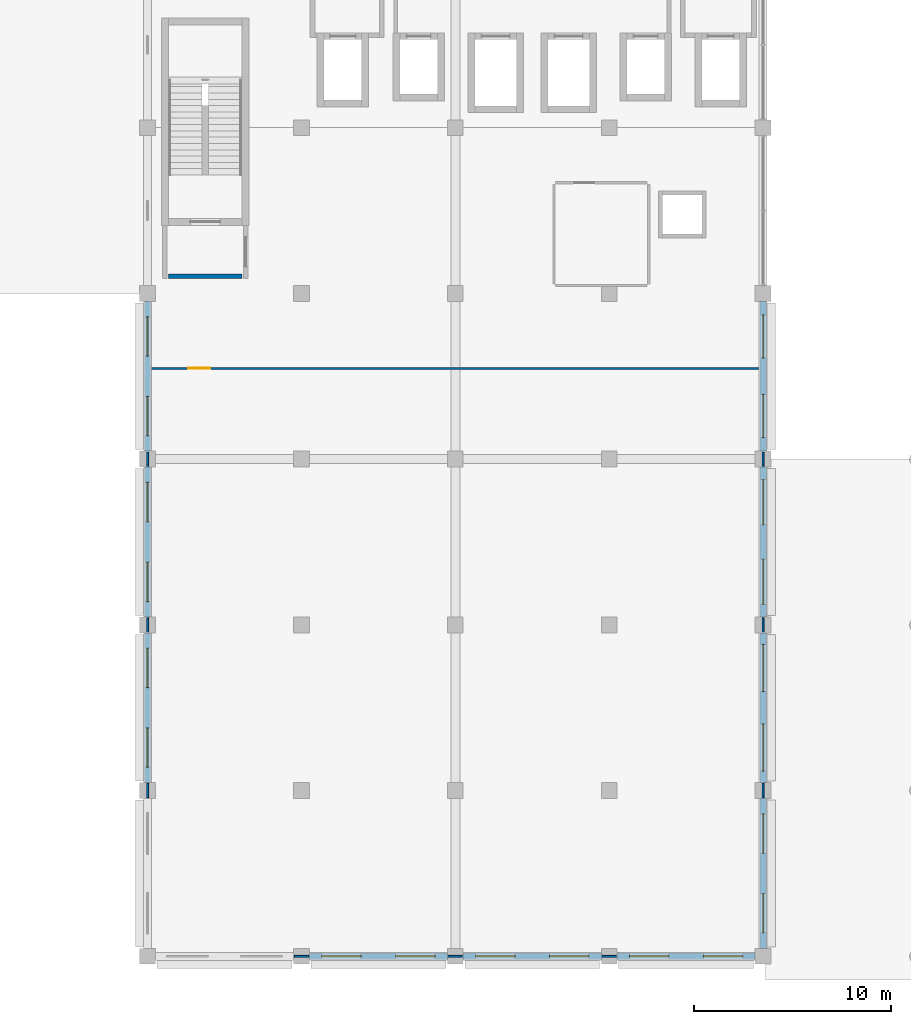
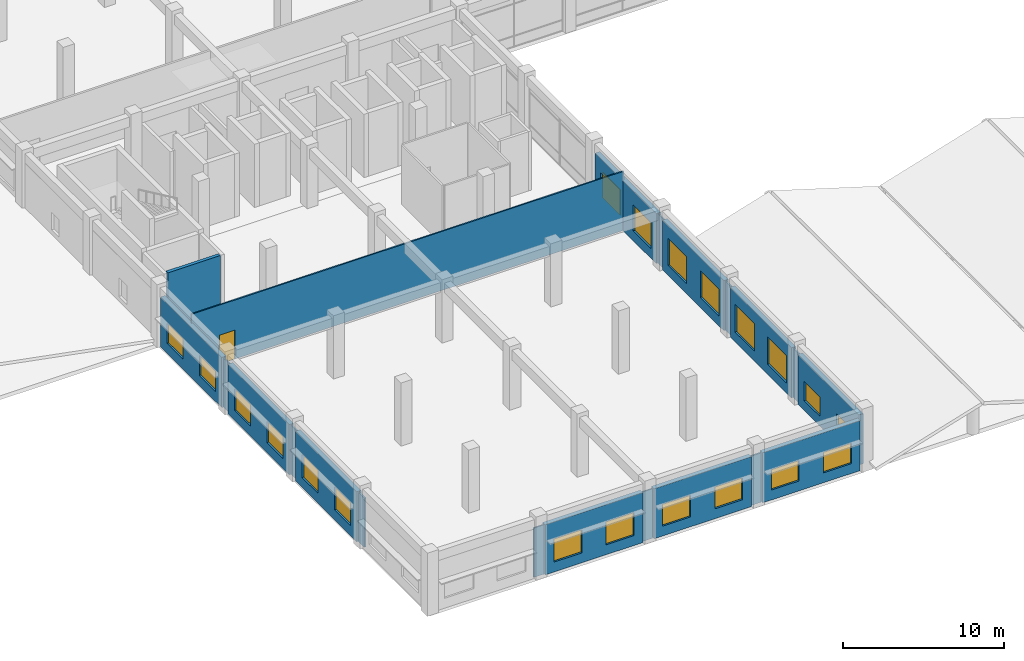
# One storey, part 39 of 62: 21 walls, 20 windows, 1 door, 21 openings.
"""IFC4 building model written with IfcOpenShell, lengths in metres."""

import ifcopenshell
import ifcopenshell.guid

model = None  # the IFC model being written
_history = None  # IfcOwnerHistory: only IFC2X3 demands one
_inside = {}  # id of a spatial element -> (the spatial element, [elements in it])
_under = {}  # id of a project, library or spatial element -> (it, [spatial elements below it])
_declared = {}  # id of a project -> (the project, [libraries it declares])
_typed = {}  # id of a type object -> (the type object, [elements of that type])
_made_of = {}  # id of a material, layer set ... -> (it, [elements and type objects made of it])


def new_model(schema):
    """Start an empty IFC model of exactly this schema.

    Asked for "IFC4X3", IfcOpenShell would pick the latest addendum, in which some entities
    have other attributes; the version numbers below select the first issue.
    IFC2X3 requires an IfcOwnerHistory on every rooted entity: one is made here for all.
    """
    global model, _history
    if schema == "IFC4X3":
        model = ifcopenshell.file(schema_version=(4, 3, 0, 0))
    else:
        model = ifcopenshell.file(schema=schema)
    _inside.clear()
    _under.clear()
    _declared.clear()
    _typed.clear()
    _made_of.clear()
    _history = None
    if model.schema == "IFC2X3":
        org = make("IfcOrganization", Name="unknown")
        user = make(
            "IfcPersonAndOrganization",
            ThePerson=make("IfcPerson", FamilyName="unknown"),
            TheOrganization=org,
        )
        app = make(
            "IfcApplication",
            ApplicationDeveloper=org,
            Version="unknown",
            ApplicationFullName="unknown",
            ApplicationIdentifier="unknown",
        )
        _history = make(
            "IfcOwnerHistory",
            OwningUser=user,
            OwningApplication=app,
            ChangeAction="ADDED",
            CreationDate=0,
        )
    return model


def make(cls, **values):
    """One entity of the class cls with the attributes given. An attribute that is None is left unset."""
    return model.create_entity(
        cls, **{name: value for name, value in values.items() if value is not None}
    )


def rooted(cls, **values):
    """An entity with a GlobalId (a new one), such as an element, a storey or a relation."""
    return make(cls, GlobalId=ifcopenshell.guid.new(), OwnerHistory=_history, **values)


def si_unit(unit_type, name, prefix=None):
    """IfcSIUnit, for example si_unit("LENGTHUNIT", "METRE", prefix="MILLI")."""
    return make("IfcSIUnit", UnitType=unit_type, Prefix=prefix, Name=name)


def assignment(units):
    """IfcUnitAssignment: the units of a project."""
    return None if units is None else make("IfcUnitAssignment", Units=units)


def point(xyz):
    """IfcCartesianPoint."""
    return None if xyz is None else make("IfcCartesianPoint", Coordinates=xyz)


def direction(xyz):
    """IfcDirection."""
    return None if xyz is None else make("IfcDirection", DirectionRatios=xyz)


def frame(location, z_axis=None, x_axis=None):
    """IfcAxis2Placement3D, a coordinate frame: its origin and axes. An axis left out is left unset."""
    return make(
        "IfcAxis2Placement3D",
        Location=point(location),
        Axis=direction(z_axis),
        RefDirection=direction(x_axis),
    )


def frame_2d(location, x_axis=None):
    """IfcAxis2Placement2D, a coordinate frame in the plane: its origin and x axis."""
    return make(
        "IfcAxis2Placement2D", Location=point(location), RefDirection=direction(x_axis)
    )


def origin():
    """The frame at (0, 0, 0) with its axes left unset."""
    return frame((0.0, 0.0, 0.0))


def place(relative_to, where):
    """IfcLocalPlacement: puts the frame where relative to a parent placement (None: the world)."""
    return make(
        "IfcLocalPlacement", PlacementRelTo=relative_to, RelativePlacement=where
    )


def context(
    kind, dimensions, precision=None, world=None, true_north=None, identifier=None
):
    """IfcGeometricRepresentationContext, for example the 3D "Model" context."""
    return make(
        "IfcGeometricRepresentationContext",
        ContextIdentifier=identifier,
        ContextType=kind,
        CoordinateSpaceDimension=dimensions,
        Precision=precision,
        WorldCoordinateSystem=world,
        TrueNorth=true_north,
    )


def subcontext(parent, identifier, kind, view, scale=None):
    """IfcGeometricRepresentationSubContext, for example "Body" below "Model"."""
    return make(
        "IfcGeometricRepresentationSubContext",
        ContextIdentifier=identifier,
        ContextType=kind,
        ParentContext=parent,
        TargetScale=scale,
        TargetView=view,
    )


def project(units=None, contexts=None):
    """IfcProject with its units and contexts."""
    return rooted(
        "IfcProject",
        Name="project",
        RepresentationContexts=contexts,
        UnitsInContext=assignment(units),
    )


def spatial(cls, under=None, at=None, **own):
    """A site, building, storey or space (cls), placed at a placement, below another one or the project."""
    s = rooted(cls, ObjectPlacement=at, **own)
    if under is not None:
        _under.setdefault(under.id(), (under, []))[1].append(s)
    return s


def profile(cls, at=None, kind="AREA", **sizes):
    """A parametric profile (cls). Its sizes go by their IFC names, for example OverallWidth=200.0."""
    return make(cls, ProfileType=kind, Position=at, **sizes)


def rectangle(**sizes):
    """IfcRectangleProfileDef."""
    return profile("IfcRectangleProfileDef", **sizes)


def extrude(swept, where, along, depth):
    """IfcExtrudedAreaSolid: the profile swept, set in the frame where, extruded along a direction by depth."""
    return make(
        "IfcExtrudedAreaSolid",
        SweptArea=swept,
        Position=where,
        ExtrudedDirection=direction(along),
        Depth=depth,
    )


def shape(context_of_items, identifier, shape_type, items):
    """IfcShapeRepresentation: the items that make up one representation, for example the "Body"."""
    return make(
        "IfcShapeRepresentation",
        ContextOfItems=context_of_items,
        RepresentationIdentifier=identifier,
        RepresentationType=shape_type,
        Items=items,
    )


def material(Name=None, Category=None):
    """IfcMaterial."""
    return make("IfcMaterial", Name=Name, Category=Category)


def layer(
    of_material, thickness, ventilated=None, Name=None, Category=None, Priority=None
):
    """IfcMaterialLayer: one layer of a wall or slab, of a material (None: an air gap)."""
    return make(
        "IfcMaterialLayer",
        Material=of_material,
        LayerThickness=thickness,
        IsVentilated=ventilated,
        Name=Name,
        Category=Category,
        Priority=Priority,
    )


def layer_set(layers, Name=None):
    """IfcMaterialLayerSet."""
    return make("IfcMaterialLayerSet", MaterialLayers=layers, LayerSetName=Name)


def made_of(thing, what):
    """Note that an element or type object is made of a material, layer set ...; save() writes the relation."""
    if what is not None:
        _made_of.setdefault(what.id(), (what, []))[1].append(thing)
    return thing


def type_object(cls, material=None, **own):
    """A type object (cls), such as IfcWallType, which elements share."""
    return made_of(rooted(cls, **own), material)


def element(
    cls,
    number,
    at=None,
    inside=None,
    cuts=None,
    type_object=None,
    material=None,
    context=None,
    identifier="Body",
    shape_type=None,
    held_by="IfcProductDefinitionShape",
    body=None,
    shapes=None,
    **own,
):
    """One element of the class cls, such as IfcWall. Its Tag is "e" and its number.

    at: its placement. inside: the storey or other place that contains it. cuts: it is an
    opening in that element (IfcRelVoidsElement). A single representation is given by context,
    identifier, shape_type and body (its items); several are given by shapes. held_by: the class
    of the entity that holds the representations. save() writes the other relations.
    """
    e = rooted(cls, Tag="e%d" % number, ObjectPlacement=at, **own)
    if body is not None:
        shapes = [shape(context, identifier, shape_type, body)]
    if shapes is not None:
        e.Representation = make(held_by, Representations=shapes)
    if inside is not None:
        _inside.setdefault(inside.id(), (inside, []))[1].append(e)
    if cuts is not None:
        rooted(
            "IfcRelVoidsElement", RelatingBuildingElement=cuts, RelatedOpeningElement=e
        )
    if type_object is not None:
        _typed.setdefault(type_object.id(), (type_object, []))[1].append(e)
    return made_of(e, material)


def fill(opening, filler):
    """IfcRelFillsElement: the door or window that sits in an opening."""
    return rooted(
        "IfcRelFillsElement",
        RelatingOpeningElement=opening,
        RelatedBuildingElement=filler,
    )


def aggregate(whole, parts):
    """IfcRelAggregates: a whole, such as a stair, and the parts it consists of."""
    return rooted("IfcRelAggregates", RelatingObject=whole, RelatedObjects=parts)


def save(model, path):
    """Write the relations noted so far, then the file.

    IfcRelAggregates (storeys below a building ...), IfcRelContainedInSpatialStructure (elements
    in a storey), IfcRelDefinesByType, IfcRelAssociatesMaterial and IfcRelDeclares: one each for
    every whole, place, type object, material and project.
    """
    for whole, parts in _under.values():
        aggregate(whole, parts)
    for where, things in _inside.values():
        rooted(
            "IfcRelContainedInSpatialStructure",
            RelatedElements=things,
            RelatingStructure=where,
        )
    for kind, things in _typed.values():
        rooted("IfcRelDefinesByType", RelatedObjects=things, RelatingType=kind)
    for what, things in _made_of.values():
        rooted("IfcRelAssociatesMaterial", RelatedObjects=things, RelatingMaterial=what)
    for by, libraries in _declared.values():
        rooted("IfcRelDeclares", RelatingContext=by, RelatedDefinitions=libraries)
    model.write(path)


model = new_model("IFC4")

# Units and contexts
model_context = context("Model", 3, precision=1e-05, world=origin(), true_north=direction((0.0, 1.0)))
body_context = subcontext(model_context, "Body", "Model", "MODEL_VIEW")
ifc_project = project(units=[si_unit("LENGTHUNIT", "METRE"), si_unit("AREAUNIT", "SQUARE_METRE"), si_unit("VOLUMEUNIT", "CUBIC_METRE"), si_unit("PLANEANGLEUNIT", "RADIAN"), si_unit("MASSUNIT", "GRAM", prefix="KILO"), si_unit("THERMODYNAMICTEMPERATUREUNIT", "KELVIN"), si_unit("POWERUNIT", "WATT")], contexts=[model_context])

# Site, building, storey
site_placement = place(None, origin())
site = spatial("IfcSite", under=ifc_project, at=site_placement, CompositionType="ELEMENT")
building_placement = place(site_placement, origin())
building = spatial("IfcBuilding", under=site, at=building_placement, Name="Srebrne Nadtorze General Hospital", CompositionType="ELEMENT")
storey_placement = place(building_placement, frame((0.0, 0.0, 9.60009765625)))
storey = spatial("IfcBuildingStorey", under=building, at=storey_placement, Name="L02", CompositionType="ELEMENT", Elevation=9.60009765625)

# Wall
ifc_material_1 = material(Name="Gypsum Healthcare Partition")
ifc_layer_1 = layer(ifc_material_1, 0.239990234375)
ifc_layer_set_1 = layer_set([ifc_layer_1], Name="Gypsum Healthcare Partition")
wall_type_1 = type_object("IfcWallType", Name="Corridor fire wall 240", PredefinedType="STANDARD", material=ifc_layer_set_1)
wall_1_placement = place(storey_placement, frame((24.449951171875, 34.47509765625, 0.0), z_axis=(0.0, 0.0, 1.0), x_axis=(1.0, 0.0, 0.0)))
element("IfcWall", 1, at=wall_1_placement, inside=storey, type_object=wall_type_1, Name="Fire lobby entry wall ST-01 WL-INT-L02-0199", PredefinedType="STANDARD", context=body_context, shape_type="SweptSolid", body=[
    extrude(rectangle(XDim=3.75, YDim=0.239990234375, at=frame_2d((1.875, 0.0))), origin(), (0.0, 0.0, 1.0), 4.5),
])

# Wall, opening, door
ifc_material_2 = material(Name="Gypsum Healthcare Partition")
ifc_layer_2 = layer(ifc_material_2, 0.10009765625)
ifc_layer_set_2 = layer_set([ifc_layer_2], Name="Gypsum Healthcare Partition")
wall_type_2 = type_object("IfcWallType", Name="Shaft lining wall 100", PredefinedType="PARTITIONING", material=ifc_layer_set_2)
wall_2_placement = place(storey_placement, frame((23.485107421875, 29.800048828125, 0.0), z_axis=(0.0, 0.0, 1.0), x_axis=(1.0, 0.0, 0.0)))
wall_2 = element("IfcWall", 2, at=wall_2_placement, inside=storey, type_object=wall_type_2, Name="High-Dependency Step-Down Ward wall WL-INT-L02-1514", PredefinedType="PARTITIONING", context=body_context, shape_type="SweptSolid", body=[
    extrude(rectangle(XDim=31.02978515625, YDim=0.10009765625, at=frame_2d((15.514892578125, 0.0))), origin(), (0.0, 0.0, 1.0), 4.47998046875),
])
opening_1_placement = place(wall_2_placement, frame((1.97998046875, 0.0, 0.0)))
opening_1 = element("IfcOpeningElement", 3, at=opening_1_placement, cuts=wall_2, Name="Opening D-L02-0243", PredefinedType="OPENING", context=body_context, shape_type="SweptSolid", body=[
    extrude(rectangle(XDim=1.1201171875, YDim=2.199951171875, at=frame_2d((0.56005859375, 1.10009765625))), frame((0.0, 0.06201171875, 0.0), z_axis=(0.0, -1.0, 0.0), x_axis=(1.0, 0.0, 0.0)), (0.0, 0.0, 1.0), 0.1240234375),
])
ifc_material_3 = material(Name="Anodised Aluminium", Category="aluminium")
door_type = type_object("IfcDoorType", Name="Single leaf door 1120x2200", OperationType="NOTDEFINED", PredefinedType="DOOR", material=ifc_material_3)
door_placement = place(opening_1_placement, frame((1.1201171875, 0.0, 0.0), z_axis=(0.0, 0.0, 1.0), x_axis=(-1.0, 0.0, 0.0)))
door = element("IfcDoor", 4, at=door_placement, inside=storey, type_object=door_type, Name="High-Dependency Step-Down Ward door D-L02-0243", OperationType="SINGLE_SWING_RIGHT", OverallHeight=2.199951171875, OverallWidth=1.1201171875, PredefinedType="DOOR", context=body_context, shape_type="SweptSolid", body=[
    extrude(rectangle(XDim=1.1201171875, YDim=2.199951171875, at=frame_2d((0.56005859375, 1.10009765625))), frame((0.0, 0.02490234375, 0.0), z_axis=(0.0, -1.0, 0.0), x_axis=(1.0, 0.0, 0.0)), (0.0, 0.0, 1.0), 0.050048828125),
])
fill(opening_1, door)

# Walls
wall_3_placement = place(storey_placement, frame((30.840087890625, 0.0, 0.0), z_axis=(0.0, 0.0, 1.0), x_axis=(1.0, 0.0, 0.0)))
element("IfcWall", 5, at=wall_3_placement, inside=storey, type_object=wall_type_2, Name="High-Dependency Step-Down Ward wall WL-INT-L02-1515", PredefinedType="PARTITIONING", context=body_context, shape_type="SweptSolid", body=[
    extrude(rectangle(XDim=0.719970703125, YDim=0.10009765625, at=frame_2d((0.35986328125, 0.0))), origin(), (0.0, 0.0, 1.0), 3.75),
])
wall_4_placement = place(storey_placement, frame((38.639892578125, 0.0, 0.0), z_axis=(0.0, 0.0, 1.0), x_axis=(1.0, 0.0, 0.0)))
element("IfcWall", 6, at=wall_4_placement, inside=storey, type_object=wall_type_2, Name="High-Dependency Step-Down Ward wall WL-INT-L02-1516", PredefinedType="PARTITIONING", context=body_context, shape_type="SweptSolid", body=[
    extrude(rectangle(XDim=0.72021484375, YDim=0.10009765625, at=frame_2d((0.360107421875, 0.0))), origin(), (0.0, 0.0, 1.0), 3.75),
])
for number, where, z_axis, x_axis, name in (
    (7, (46.43994140625, 0.0, 0.0), (0.0, 0.0, 1.0), (1.0, 0.0, 0.0), "High-Dependency Step-Down Ward wall WL-INT-L02-1517"),
    (8, (23.39990234375, 8.0400390625, 0.0), (0.0, 0.0, 1.0), (0.0, 1.0, 0.0), "High-Dependency Step-Down Ward wall WL-INT-L02-1518"),
    (9, (23.39990234375, 16.43994140625, 0.0), (0.0, 0.0, 1.0), (0.0, 1.0, 0.0), "High-Dependency Step-Down Ward wall WL-INT-L02-1519"),
    (10, (23.39990234375, 24.840087890625, 0.0), (0.0, 0.0, 1.0), (0.0, 1.0, 0.0), "High-Dependency Step-Down Ward wall WL-INT-L02-1520"),
    (11, (54.60009765625, 8.0400390625, 0.0), (0.0, 0.0, 1.0), (0.0, 1.0, 0.0), "High-Dependency Step-Down Ward wall WL-INT-L02-1521"),
    (12, (54.60009765625, 16.43994140625, 0.0), (0.0, 0.0, 1.0), (0.0, 1.0, 0.0), "High-Dependency Step-Down Ward wall WL-INT-L02-1522"),
    (13, (54.60009765625, 24.840087890625, 0.0), (0.0, 0.0, 1.0), (0.0, 1.0, 0.0), "High-Dependency Step-Down Ward wall WL-INT-L02-1523"),
):
    element("IfcWall", number, at=place(storey_placement, frame(where, z_axis=z_axis, x_axis=x_axis)), inside=storey, type_object=wall_type_2, Name=name, PredefinedType="PARTITIONING", context=body_context, shape_type="SweptSolid", body=[
        extrude(rectangle(XDim=0.719970703125, YDim=0.10009765625, at=frame_2d((0.35986328125, 0.0))), origin(), (0.0, 0.0, 1.0), 3.75),
    ])

# Wall, openings, windows
ifc_material_4 = material(Name="Concrete C35/45", Category="concrete")
ifc_layer_3 = layer(ifc_material_4, 0.320068359375)
ifc_layer_set_3 = layer_set([ifc_layer_3], Name="Concrete C35/45")
wall_type_3 = type_object("IfcWallType", Name="Spandrel wall 320", PredefinedType="STANDARD", material=ifc_layer_set_3)
wall_5_placement = place(storey_placement, frame((31.60009765625, 0.0, 0.0), z_axis=(0.0, 0.0, 1.0), x_axis=(1.0, 0.0, 0.0)))
wall_5 = element("IfcWall", 14, at=wall_5_placement, inside=storey, type_object=wall_type_3, Name="Exterior wall WL-ENV-L02-0215", PredefinedType="STANDARD", context=body_context, shape_type="SweptSolid", body=[
    extrude(rectangle(XDim=7.0, YDim=0.320068359375, at=frame_2d((3.5, 0.0))), origin(), (0.0, 0.0, 1.0), 3.7998046875),
])
opening_2_placement = place(wall_5_placement, frame((0.6279296875, 0.0, 0.75)))
opening_2 = element("IfcOpeningElement", 15, at=opening_2_placement, cuts=wall_5, Name="Opening WN-L02-0252", PredefinedType="OPENING", context=body_context, shape_type="SweptSolid", body=[
    extrude(rectangle(XDim=2.0, YDim=1.75, at=frame_2d((1.0, 0.875))), frame((0.0, 0.171875, 0.0), z_axis=(0.0, -1.0, 0.0), x_axis=(1.0, 0.0, 0.0)), (0.0, 0.0, 1.0), 0.343994140625),
])
opening_3_placement = place(wall_5_placement, frame((4.3720703125, 0.0, 0.75)))
opening_3 = element("IfcOpeningElement", 16, at=opening_3_placement, cuts=wall_5, Name="Opening WN-L02-0253", PredefinedType="OPENING", context=body_context, shape_type="SweptSolid", body=[
    extrude(rectangle(XDim=2.0, YDim=1.75, at=frame_2d((1.0, 0.875))), frame((0.0, 0.171875, 0.0), z_axis=(0.0, -1.0, 0.0), x_axis=(1.0, 0.0, 0.0)), (0.0, 0.0, 1.0), 0.343994140625),
])
ifc_material_5 = material(Name="Triple Low-E Glazing", Category="glass")
window_type_1 = type_object("IfcWindowType", Name="Punched clinical window 2000x1750", PartitioningType="DOUBLE_PANEL_VERTICAL", PredefinedType="WINDOW", material=ifc_material_5)
window_1_placement = place(opening_2_placement, origin())
window_1 = element("IfcWindow", 17, at=window_1_placement, inside=storey, type_object=window_type_1, Name="Clinical window WN-L02-0252", OverallHeight=1.75, OverallWidth=2.0, PartitioningType="DOUBLE_PANEL_VERTICAL", PredefinedType="WINDOW", context=body_context, shape_type="SweptSolid", body=[
    extrude(rectangle(XDim=2.0, YDim=1.75, at=frame_2d((1.0, 0.875))), frame((0.0, 0.030029296875, 0.0), z_axis=(0.0, -1.0, 0.0), x_axis=(1.0, 0.0, 0.0)), (0.0, 0.0, 1.0), 0.06005859375),
])
fill(opening_2, window_1)
window_2_placement = place(opening_3_placement, origin())
window_2 = element("IfcWindow", 18, at=window_2_placement, inside=storey, type_object=window_type_1, Name="Clinical window WN-L02-0253", OverallHeight=1.75, OverallWidth=2.0, PartitioningType="DOUBLE_PANEL_VERTICAL", PredefinedType="WINDOW", context=body_context, shape_type="SweptSolid", body=[
    extrude(rectangle(XDim=2.0, YDim=1.75, at=frame_2d((1.0, 0.875))), frame((0.0, 0.030029296875, 0.0), z_axis=(0.0, -1.0, 0.0), x_axis=(1.0, 0.0, 0.0)), (0.0, 0.0, 1.0), 0.06005859375),
])
fill(opening_3, window_2)

wall_6_placement = place(storey_placement, frame((39.39990234375, 0.0, 0.0), z_axis=(0.0, 0.0, 1.0), x_axis=(1.0, 0.0, 0.0)))
wall_6 = element("IfcWall", 19, at=wall_6_placement, inside=storey, type_object=wall_type_3, Name="Exterior wall WL-ENV-L02-0216", PredefinedType="STANDARD", context=body_context, shape_type="SweptSolid", body=[
    extrude(rectangle(XDim=7.0, YDim=0.320068359375, at=frame_2d((3.5, 0.0))), origin(), (0.0, 0.0, 1.0), 3.7998046875),
])
opening_4_placement = place(wall_6_placement, frame((0.6279296875, 0.0, 0.75)))
opening_4 = element("IfcOpeningElement", 20, at=opening_4_placement, cuts=wall_6, Name="Opening WN-L02-0254", PredefinedType="OPENING", context=body_context, shape_type="SweptSolid", body=[
    extrude(rectangle(XDim=2.0, YDim=1.64990234375, at=frame_2d((1.0, 0.824951171875))), frame((0.0, 0.171875, 0.0), z_axis=(0.0, -1.0, 0.0), x_axis=(1.0, 0.0, 0.0)), (0.0, 0.0, 1.0), 0.343994140625),
])
opening_5_placement = place(wall_6_placement, frame((4.3720703125, 0.0, 0.75)))
opening_5 = element("IfcOpeningElement", 21, at=opening_5_placement, cuts=wall_6, Name="Opening WN-L02-0255", PredefinedType="OPENING", context=body_context, shape_type="SweptSolid", body=[
    extrude(rectangle(XDim=2.0, YDim=1.64990234375, at=frame_2d((1.0, 0.824951171875))), frame((0.0, 0.171875, 0.0), z_axis=(0.0, -1.0, 0.0), x_axis=(1.0, 0.0, 0.0)), (0.0, 0.0, 1.0), 0.343994140625),
])
ifc_material_6 = material(Name="Triple Low-E Glazing", Category="glass")
window_type_2 = type_object("IfcWindowType", Name="Punched clinical window 2000x1650", PartitioningType="DOUBLE_PANEL_VERTICAL", PredefinedType="WINDOW", material=ifc_material_6)
window_3_placement = place(opening_4_placement, origin())
window_3 = element("IfcWindow", 22, at=window_3_placement, inside=storey, type_object=window_type_2, Name="Clinical window WN-L02-0254", OverallHeight=1.64990234375, OverallWidth=2.0, PartitioningType="DOUBLE_PANEL_VERTICAL", PredefinedType="WINDOW", context=body_context, shape_type="SweptSolid", body=[
    extrude(rectangle(XDim=2.0, YDim=1.64990234375, at=frame_2d((1.0, 0.824951171875))), frame((0.0, 0.030029296875, 0.0), z_axis=(0.0, -1.0, 0.0), x_axis=(1.0, 0.0, 0.0)), (0.0, 0.0, 1.0), 0.06005859375),
])
fill(opening_4, window_3)
window_4_placement = place(opening_5_placement, origin())
window_4 = element("IfcWindow", 23, at=window_4_placement, inside=storey, type_object=window_type_2, Name="Clinical window WN-L02-0255", OverallHeight=1.64990234375, OverallWidth=2.0, PartitioningType="DOUBLE_PANEL_VERTICAL", PredefinedType="WINDOW", context=body_context, shape_type="SweptSolid", body=[
    extrude(rectangle(XDim=2.0, YDim=1.64990234375, at=frame_2d((1.0, 0.824951171875))), frame((0.0, 0.030029296875, 0.0), z_axis=(0.0, -1.0, 0.0), x_axis=(1.0, 0.0, 0.0)), (0.0, 0.0, 1.0), 0.06005859375),
])
fill(opening_5, window_4)

wall_7_placement = place(storey_placement, frame((47.199951171875, 0.0, 0.0), z_axis=(0.0, 0.0, 1.0), x_axis=(1.0, 0.0, 0.0)))
wall_7 = element("IfcWall", 24, at=wall_7_placement, inside=storey, type_object=wall_type_3, Name="Exterior wall WL-ENV-L02-0217", PredefinedType="STANDARD", context=body_context, shape_type="SweptSolid", body=[
    extrude(rectangle(XDim=7.0, YDim=0.320068359375, at=frame_2d((3.5, 0.0))), origin(), (0.0, 0.0, 1.0), 3.7998046875),
])
opening_6_placement = place(wall_7_placement, frame((0.6279296875, 0.0, 0.75)))
opening_6 = element("IfcOpeningElement", 25, at=opening_6_placement, cuts=wall_7, Name="Opening WN-L02-0256", PredefinedType="OPENING", context=body_context, shape_type="SweptSolid", body=[
    extrude(rectangle(XDim=2.0, YDim=1.550048828125, at=frame_2d((1.0, 0.77490234375))), frame((0.0, 0.171875, 0.0), z_axis=(0.0, -1.0, 0.0), x_axis=(1.0, 0.0, 0.0)), (0.0, 0.0, 1.0), 0.343994140625),
])
opening_7_placement = place(wall_7_placement, frame((4.3720703125, 0.0, 0.75)))
opening_7 = element("IfcOpeningElement", 26, at=opening_7_placement, cuts=wall_7, Name="Opening WN-L02-0257", PredefinedType="OPENING", context=body_context, shape_type="SweptSolid", body=[
    extrude(rectangle(XDim=2.0, YDim=1.550048828125, at=frame_2d((1.0, 0.77490234375))), frame((0.0, 0.171875, 0.0), z_axis=(0.0, -1.0, 0.0), x_axis=(1.0, 0.0, 0.0)), (0.0, 0.0, 1.0), 0.343994140625),
])
ifc_material_7 = material(Name="Triple Low-E Glazing", Category="glass")
window_type_3 = type_object("IfcWindowType", Name="Punched clinical window 2000x1550", PartitioningType="DOUBLE_PANEL_VERTICAL", PredefinedType="WINDOW", material=ifc_material_7)
window_5_placement = place(opening_6_placement, origin())
window_5 = element("IfcWindow", 27, at=window_5_placement, inside=storey, type_object=window_type_3, Name="Clinical window WN-L02-0256", OverallHeight=1.550048828125, OverallWidth=2.0, PartitioningType="DOUBLE_PANEL_VERTICAL", PredefinedType="WINDOW", context=body_context, shape_type="SweptSolid", body=[
    extrude(rectangle(XDim=2.0, YDim=1.550048828125, at=frame_2d((1.0, 0.77490234375))), frame((0.0, 0.030029296875, 0.0), z_axis=(0.0, -1.0, 0.0), x_axis=(1.0, 0.0, 0.0)), (0.0, 0.0, 1.0), 0.06005859375),
])
fill(opening_6, window_5)
window_6_placement = place(opening_7_placement, origin())
window_6 = element("IfcWindow", 28, at=window_6_placement, inside=storey, type_object=window_type_3, Name="Clinical window WN-L02-0257", OverallHeight=1.550048828125, OverallWidth=2.0, PartitioningType="DOUBLE_PANEL_VERTICAL", PredefinedType="WINDOW", context=body_context, shape_type="SweptSolid", body=[
    extrude(rectangle(XDim=2.0, YDim=1.550048828125, at=frame_2d((1.0, 0.77490234375))), frame((0.0, 0.030029296875, 0.0), z_axis=(0.0, -1.0, 0.0), x_axis=(1.0, 0.0, 0.0)), (0.0, 0.0, 1.0), 0.06005859375),
])
fill(opening_7, window_6)

wall_8_placement = place(storey_placement, frame((23.39990234375, 8.800048828125, 0.0), z_axis=(0.0, 0.0, 1.0), x_axis=(0.0, 1.0, 0.0)))
wall_8 = element("IfcWall", 29, at=wall_8_placement, inside=storey, type_object=wall_type_3, Name="Exterior wall WL-ENV-L02-0243", PredefinedType="STANDARD", context=body_context, shape_type="SweptSolid", body=[
    extrude(rectangle(XDim=7.599853515625, YDim=0.320068359375, at=frame_2d((3.7998046875, 0.0))), origin(), (0.0, 0.0, 1.0), 3.7998046875),
])
opening_8_placement = place(wall_8_placement, frame((0.783935546875, 0.0, 0.75)))
opening_8 = element("IfcOpeningElement", 30, at=opening_8_placement, cuts=wall_8, Name="Opening WN-L02-0304", PredefinedType="OPENING", context=body_context, shape_type="SweptSolid", body=[
    extrude(rectangle(XDim=2.0, YDim=1.75, at=frame_2d((1.0, 0.875))), frame((0.0, 0.171875, 0.0), z_axis=(0.0, -1.0, 0.0), x_axis=(1.0, 0.0, 0.0)), (0.0, 0.0, 1.0), 0.343994140625),
])
opening_9_placement = place(wall_8_placement, frame((4.81591796875, 0.0, 0.75)))
opening_9 = element("IfcOpeningElement", 31, at=opening_9_placement, cuts=wall_8, Name="Opening WN-L02-0305", PredefinedType="OPENING", context=body_context, shape_type="SweptSolid", body=[
    extrude(rectangle(XDim=2.0, YDim=1.75, at=frame_2d((1.0, 0.875))), frame((0.0, 0.171875, 0.0), z_axis=(0.0, -1.0, 0.0), x_axis=(1.0, 0.0, 0.0)), (0.0, 0.0, 1.0), 0.343994140625),
])
window_7_placement = place(opening_8_placement, origin())
window_7 = element("IfcWindow", 32, at=window_7_placement, inside=storey, type_object=window_type_1, Name="Clinical window WN-L02-0304", OverallHeight=1.75, OverallWidth=2.0, PartitioningType="DOUBLE_PANEL_VERTICAL", PredefinedType="WINDOW", context=body_context, shape_type="SweptSolid", body=[
    extrude(rectangle(XDim=2.0, YDim=1.75, at=frame_2d((1.0, 0.875))), frame((0.0, 0.030029296875, 0.0), z_axis=(0.0, -1.0, 0.0), x_axis=(1.0, 0.0, 0.0)), (0.0, 0.0, 1.0), 0.06005859375),
])
fill(opening_8, window_7)
window_8_placement = place(opening_9_placement, origin())
window_8 = element("IfcWindow", 33, at=window_8_placement, inside=storey, type_object=window_type_1, Name="Clinical window WN-L02-0305", OverallHeight=1.75, OverallWidth=2.0, PartitioningType="DOUBLE_PANEL_VERTICAL", PredefinedType="WINDOW", context=body_context, shape_type="SweptSolid", body=[
    extrude(rectangle(XDim=2.0, YDim=1.75, at=frame_2d((1.0, 0.875))), frame((0.0, 0.030029296875, 0.0), z_axis=(0.0, -1.0, 0.0), x_axis=(1.0, 0.0, 0.0)), (0.0, 0.0, 1.0), 0.06005859375),
])
fill(opening_9, window_8)

wall_9_placement = place(storey_placement, frame((23.39990234375, 17.199951171875, 0.0), z_axis=(0.0, 0.0, 1.0), x_axis=(0.0, 1.0, 0.0)))
wall_9 = element("IfcWall", 34, at=wall_9_placement, inside=storey, type_object=wall_type_3, Name="Exterior wall WL-ENV-L02-0244", PredefinedType="STANDARD", context=body_context, shape_type="SweptSolid", body=[
    extrude(rectangle(XDim=7.60009765625, YDim=0.320068359375, at=frame_2d((3.800048828125, 0.0))), origin(), (0.0, 0.0, 1.0), 3.7998046875),
])
opening_10_placement = place(wall_9_placement, frame((0.783935546875, 0.0, 0.75)))
opening_10 = element("IfcOpeningElement", 35, at=opening_10_placement, cuts=wall_9, Name="Opening WN-L02-0306", PredefinedType="OPENING", context=body_context, shape_type="SweptSolid", body=[
    extrude(rectangle(XDim=2.0, YDim=1.64990234375, at=frame_2d((1.0, 0.824951171875))), frame((0.0, 0.171875, 0.0), z_axis=(0.0, -1.0, 0.0), x_axis=(1.0, 0.0, 0.0)), (0.0, 0.0, 1.0), 0.343994140625),
])
opening_11_placement = place(wall_9_placement, frame((4.81591796875, 0.0, 0.75)))
opening_11 = element("IfcOpeningElement", 36, at=opening_11_placement, cuts=wall_9, Name="Opening WN-L02-0307", PredefinedType="OPENING", context=body_context, shape_type="SweptSolid", body=[
    extrude(rectangle(XDim=2.0, YDim=1.64990234375, at=frame_2d((1.0, 0.824951171875))), frame((0.0, 0.171875, 0.0), z_axis=(0.0, -1.0, 0.0), x_axis=(1.0, 0.0, 0.0)), (0.0, 0.0, 1.0), 0.343994140625),
])
window_9_placement = place(opening_10_placement, origin())
window_9 = element("IfcWindow", 37, at=window_9_placement, inside=storey, type_object=window_type_2, Name="Clinical window WN-L02-0306", OverallHeight=1.64990234375, OverallWidth=2.0, PartitioningType="DOUBLE_PANEL_VERTICAL", PredefinedType="WINDOW", context=body_context, shape_type="SweptSolid", body=[
    extrude(rectangle(XDim=2.0, YDim=1.64990234375, at=frame_2d((1.0, 0.824951171875))), frame((0.0, 0.030029296875, 0.0), z_axis=(0.0, -1.0, 0.0), x_axis=(1.0, 0.0, 0.0)), (0.0, 0.0, 1.0), 0.06005859375),
])
fill(opening_10, window_9)
window_10_placement = place(opening_11_placement, origin())
window_10 = element("IfcWindow", 38, at=window_10_placement, inside=storey, type_object=window_type_2, Name="Clinical window WN-L02-0307", OverallHeight=1.64990234375, OverallWidth=2.0, PartitioningType="DOUBLE_PANEL_VERTICAL", PredefinedType="WINDOW", context=body_context, shape_type="SweptSolid", body=[
    extrude(rectangle(XDim=2.0, YDim=1.64990234375, at=frame_2d((1.0, 0.824951171875))), frame((0.0, 0.030029296875, 0.0), z_axis=(0.0, -1.0, 0.0), x_axis=(1.0, 0.0, 0.0)), (0.0, 0.0, 1.0), 0.06005859375),
])
fill(opening_11, window_10)

wall_10_placement = place(storey_placement, frame((23.39990234375, 25.60009765625, 0.0), z_axis=(0.0, 0.0, 1.0), x_axis=(0.0, 1.0, 0.0)))
wall_10 = element("IfcWall", 39, at=wall_10_placement, inside=storey, type_object=wall_type_3, Name="Exterior wall WL-ENV-L02-0245", PredefinedType="STANDARD", context=body_context, shape_type="SweptSolid", body=[
    extrude(rectangle(XDim=7.599853515625, YDim=0.320068359375, at=frame_2d((3.7998046875, 0.0))), origin(), (0.0, 0.0, 1.0), 3.7998046875),
])
opening_12_placement = place(wall_10_placement, frame((0.783935546875, 0.0, 0.75)))
opening_12 = element("IfcOpeningElement", 40, at=opening_12_placement, cuts=wall_10, Name="Opening WN-L02-0308", PredefinedType="OPENING", context=body_context, shape_type="SweptSolid", body=[
    extrude(rectangle(XDim=2.0, YDim=1.550048828125, at=frame_2d((1.0, 0.77490234375))), frame((0.0, 0.171875, 0.0), z_axis=(0.0, -1.0, 0.0), x_axis=(1.0, 0.0, 0.0)), (0.0, 0.0, 1.0), 0.343994140625),
])
opening_13_placement = place(wall_10_placement, frame((4.81591796875, 0.0, 0.75)))
opening_13 = element("IfcOpeningElement", 41, at=opening_13_placement, cuts=wall_10, Name="Opening WN-L02-0309", PredefinedType="OPENING", context=body_context, shape_type="SweptSolid", body=[
    extrude(rectangle(XDim=2.0, YDim=1.550048828125, at=frame_2d((1.0, 0.77490234375))), frame((0.0, 0.171875, 0.0), z_axis=(0.0, -1.0, 0.0), x_axis=(1.0, 0.0, 0.0)), (0.0, 0.0, 1.0), 0.343994140625),
])
window_11_placement = place(opening_12_placement, origin())
window_11 = element("IfcWindow", 42, at=window_11_placement, inside=storey, type_object=window_type_3, Name="Clinical window WN-L02-0308", OverallHeight=1.550048828125, OverallWidth=2.0, PartitioningType="DOUBLE_PANEL_VERTICAL", PredefinedType="WINDOW", context=body_context, shape_type="SweptSolid", body=[
    extrude(rectangle(XDim=2.0, YDim=1.550048828125, at=frame_2d((1.0, 0.77490234375))), frame((0.0, 0.030029296875, 0.0), z_axis=(0.0, -1.0, 0.0), x_axis=(1.0, 0.0, 0.0)), (0.0, 0.0, 1.0), 0.06005859375),
])
fill(opening_12, window_11)
window_12_placement = place(opening_13_placement, origin())
window_12 = element("IfcWindow", 43, at=window_12_placement, inside=storey, type_object=window_type_3, Name="Clinical window WN-L02-0309", OverallHeight=1.550048828125, OverallWidth=2.0, PartitioningType="DOUBLE_PANEL_VERTICAL", PredefinedType="WINDOW", context=body_context, shape_type="SweptSolid", body=[
    extrude(rectangle(XDim=2.0, YDim=1.550048828125, at=frame_2d((1.0, 0.77490234375))), frame((0.0, 0.030029296875, 0.0), z_axis=(0.0, -1.0, 0.0), x_axis=(1.0, 0.0, 0.0)), (0.0, 0.0, 1.0), 0.06005859375),
])
fill(opening_13, window_12)

wall_11_placement = place(storey_placement, frame((54.60009765625, 0.39990234375, 0.0), z_axis=(0.0, 0.0, 1.0), x_axis=(0.0, 1.0, 0.0)))
wall_11 = element("IfcWall", 44, at=wall_11_placement, inside=storey, type_object=wall_type_3, Name="Exterior wall WL-ENV-L02-0256", PredefinedType="STANDARD", context=body_context, shape_type="SweptSolid", body=[
    extrude(rectangle(XDim=7.60009765625, YDim=0.320068359375, at=frame_2d((3.800048828125, 0.0))), origin(), (0.0, 0.0, 1.0), 3.7998046875),
])
opening_14_placement = place(wall_11_placement, frame((0.783935546875, 0.0, 0.75)))
opening_14 = element("IfcOpeningElement", 45, at=opening_14_placement, cuts=wall_11, Name="Opening WN-L02-0326", PredefinedType="OPENING", context=body_context, shape_type="SweptSolid", body=[
    extrude(rectangle(XDim=2.0, YDim=1.449951171875, at=frame_2d((1.0, 0.72509765625))), frame((0.0, 0.171875, 0.0), z_axis=(0.0, -1.0, 0.0), x_axis=(1.0, 0.0, 0.0)), (0.0, 0.0, 1.0), 0.343994140625),
])
opening_15_placement = place(wall_11_placement, frame((4.81591796875, 0.0, 0.75)))
opening_15 = element("IfcOpeningElement", 46, at=opening_15_placement, cuts=wall_11, Name="Opening WN-L02-0327", PredefinedType="OPENING", context=body_context, shape_type="SweptSolid", body=[
    extrude(rectangle(XDim=2.0, YDim=1.449951171875, at=frame_2d((1.0, 0.72509765625))), frame((0.0, 0.171875, 0.0), z_axis=(0.0, -1.0, 0.0), x_axis=(1.0, 0.0, 0.0)), (0.0, 0.0, 1.0), 0.343994140625),
])
ifc_material_8 = material(Name="Triple Low-E Glazing", Category="glass")
window_type_4 = type_object("IfcWindowType", Name="Punched clinical window 2000x1450", PartitioningType="DOUBLE_PANEL_VERTICAL", PredefinedType="WINDOW", material=ifc_material_8)
window_13_placement = place(opening_14_placement, origin())
window_13 = element("IfcWindow", 47, at=window_13_placement, inside=storey, type_object=window_type_4, Name="Clinical window WN-L02-0326", OverallHeight=1.449951171875, OverallWidth=2.0, PartitioningType="DOUBLE_PANEL_VERTICAL", PredefinedType="WINDOW", context=body_context, shape_type="SweptSolid", body=[
    extrude(rectangle(XDim=2.0, YDim=1.449951171875, at=frame_2d((1.0, 0.72509765625))), frame((0.0, 0.030029296875, 0.0), z_axis=(0.0, -1.0, 0.0), x_axis=(1.0, 0.0, 0.0)), (0.0, 0.0, 1.0), 0.06005859375),
])
fill(opening_14, window_13)
window_14_placement = place(opening_15_placement, origin())
window_14 = element("IfcWindow", 48, at=window_14_placement, inside=storey, type_object=window_type_4, Name="Clinical window WN-L02-0327", OverallHeight=1.449951171875, OverallWidth=2.0, PartitioningType="DOUBLE_PANEL_VERTICAL", PredefinedType="WINDOW", context=body_context, shape_type="SweptSolid", body=[
    extrude(rectangle(XDim=2.0, YDim=1.449951171875, at=frame_2d((1.0, 0.72509765625))), frame((0.0, 0.030029296875, 0.0), z_axis=(0.0, -1.0, 0.0), x_axis=(1.0, 0.0, 0.0)), (0.0, 0.0, 1.0), 0.06005859375),
])
fill(opening_15, window_14)

wall_12_placement = place(storey_placement, frame((54.60009765625, 8.800048828125, 0.0), z_axis=(0.0, 0.0, 1.0), x_axis=(0.0, 1.0, 0.0)))
wall_12 = element("IfcWall", 49, at=wall_12_placement, inside=storey, type_object=wall_type_3, Name="Exterior wall WL-ENV-L02-0257", PredefinedType="STANDARD", context=body_context, shape_type="SweptSolid", body=[
    extrude(rectangle(XDim=7.599853515625, YDim=0.320068359375, at=frame_2d((3.7998046875, 0.0))), origin(), (0.0, 0.0, 1.0), 3.7998046875),
])
opening_16_placement = place(wall_12_placement, frame((0.583984375, 0.0, 0.75)))
opening_16 = element("IfcOpeningElement", 50, at=opening_16_placement, cuts=wall_12, Name="Opening WN-L02-0328", PredefinedType="OPENING", context=body_context, shape_type="SweptSolid", body=[
    extrude(rectangle(XDim=2.39990234375, YDim=2.10009765625, at=frame_2d((1.199951171875, 1.050048828125))), frame((0.0, 0.171875, 0.0), z_axis=(0.0, -1.0, 0.0), x_axis=(1.0, 0.0, 0.0)), (0.0, 0.0, 1.0), 0.343994140625),
])
opening_17_placement = place(wall_12_placement, frame((4.615966796875, 0.0, 0.75)))
opening_17 = element("IfcOpeningElement", 51, at=opening_17_placement, cuts=wall_12, Name="Opening WN-L02-0329", PredefinedType="OPENING", context=body_context, shape_type="SweptSolid", body=[
    extrude(rectangle(XDim=2.39990234375, YDim=2.10009765625, at=frame_2d((1.199951171875, 1.050048828125))), frame((0.0, 0.171875, 0.0), z_axis=(0.0, -1.0, 0.0), x_axis=(1.0, 0.0, 0.0)), (0.0, 0.0, 1.0), 0.343994140625),
])
ifc_material_9 = material(Name="Triple Low-E Glazing", Category="glass")
window_type_5 = type_object("IfcWindowType", Name="Punched clinical window 2400x2100", PartitioningType="DOUBLE_PANEL_VERTICAL", PredefinedType="WINDOW", material=ifc_material_9)
window_15_placement = place(opening_16_placement, origin())
window_15 = element("IfcWindow", 52, at=window_15_placement, inside=storey, type_object=window_type_5, Name="Clinical window WN-L02-0328", OverallHeight=2.10009765625, OverallWidth=2.39990234375, PartitioningType="DOUBLE_PANEL_VERTICAL", PredefinedType="WINDOW", context=body_context, shape_type="SweptSolid", body=[
    extrude(rectangle(XDim=2.39990234375, YDim=2.10009765625, at=frame_2d((1.199951171875, 1.050048828125))), frame((0.0, 0.030029296875, 0.0), z_axis=(0.0, -1.0, 0.0), x_axis=(1.0, 0.0, 0.0)), (0.0, 0.0, 1.0), 0.06005859375),
])
fill(opening_16, window_15)
window_16_placement = place(opening_17_placement, origin())
window_16 = element("IfcWindow", 53, at=window_16_placement, inside=storey, type_object=window_type_5, Name="Clinical window WN-L02-0329", OverallHeight=2.10009765625, OverallWidth=2.39990234375, PartitioningType="DOUBLE_PANEL_VERTICAL", PredefinedType="WINDOW", context=body_context, shape_type="SweptSolid", body=[
    extrude(rectangle(XDim=2.39990234375, YDim=2.10009765625, at=frame_2d((1.199951171875, 1.050048828125))), frame((0.0, 0.030029296875, 0.0), z_axis=(0.0, -1.0, 0.0), x_axis=(1.0, 0.0, 0.0)), (0.0, 0.0, 1.0), 0.06005859375),
])
fill(opening_17, window_16)

wall_13_placement = place(storey_placement, frame((54.60009765625, 17.199951171875, 0.0), z_axis=(0.0, 0.0, 1.0), x_axis=(0.0, 1.0, 0.0)))
wall_13 = element("IfcWall", 54, at=wall_13_placement, inside=storey, type_object=wall_type_3, Name="Exterior wall WL-ENV-L02-0258", PredefinedType="STANDARD", context=body_context, shape_type="SweptSolid", body=[
    extrude(rectangle(XDim=7.60009765625, YDim=0.320068359375, at=frame_2d((3.800048828125, 0.0))), origin(), (0.0, 0.0, 1.0), 3.7998046875),
])
opening_18_placement = place(wall_13_placement, frame((0.634033203125, 0.0, 0.75)))
opening_18 = element("IfcOpeningElement", 55, at=opening_18_placement, cuts=wall_13, Name="Opening WN-L02-0330", PredefinedType="OPENING", context=body_context, shape_type="SweptSolid", body=[
    extrude(rectangle(XDim=2.300048828125, YDim=2.050048828125, at=frame_2d((1.14990234375, 1.02490234375))), frame((0.0, 0.171875, 0.0), z_axis=(0.0, -1.0, 0.0), x_axis=(1.0, 0.0, 0.0)), (0.0, 0.0, 1.0), 0.343994140625),
])
opening_19_placement = place(wall_13_placement, frame((4.666015625, 0.0, 0.75)))
opening_19 = element("IfcOpeningElement", 56, at=opening_19_placement, cuts=wall_13, Name="Opening WN-L02-0331", PredefinedType="OPENING", context=body_context, shape_type="SweptSolid", body=[
    extrude(rectangle(XDim=2.300048828125, YDim=2.050048828125, at=frame_2d((1.14990234375, 1.02490234375))), frame((0.0, 0.171875, 0.0), z_axis=(0.0, -1.0, 0.0), x_axis=(1.0, 0.0, 0.0)), (0.0, 0.0, 1.0), 0.343994140625),
])
ifc_material_10 = material(Name="Triple Low-E Glazing", Category="glass")
window_type_6 = type_object("IfcWindowType", Name="Punched clinical window 2300x2050", PartitioningType="DOUBLE_PANEL_VERTICAL", PredefinedType="WINDOW", material=ifc_material_10)
window_17_placement = place(opening_18_placement, origin())
window_17 = element("IfcWindow", 57, at=window_17_placement, inside=storey, type_object=window_type_6, Name="Clinical window WN-L02-0330", OverallHeight=2.050048828125, OverallWidth=2.300048828125, PartitioningType="DOUBLE_PANEL_VERTICAL", PredefinedType="WINDOW", context=body_context, shape_type="SweptSolid", body=[
    extrude(rectangle(XDim=2.300048828125, YDim=2.050048828125, at=frame_2d((1.14990234375, 1.02490234375))), frame((0.0, 0.030029296875, 0.0), z_axis=(0.0, -1.0, 0.0), x_axis=(1.0, 0.0, 0.0)), (0.0, 0.0, 1.0), 0.06005859375),
])
fill(opening_18, window_17)
window_18_placement = place(opening_19_placement, origin())
window_18 = element("IfcWindow", 58, at=window_18_placement, inside=storey, type_object=window_type_6, Name="Clinical window WN-L02-0331", OverallHeight=2.050048828125, OverallWidth=2.300048828125, PartitioningType="DOUBLE_PANEL_VERTICAL", PredefinedType="WINDOW", context=body_context, shape_type="SweptSolid", body=[
    extrude(rectangle(XDim=2.300048828125, YDim=2.050048828125, at=frame_2d((1.14990234375, 1.02490234375))), frame((0.0, 0.030029296875, 0.0), z_axis=(0.0, -1.0, 0.0), x_axis=(1.0, 0.0, 0.0)), (0.0, 0.0, 1.0), 0.06005859375),
])
fill(opening_19, window_18)

wall_14_placement = place(storey_placement, frame((54.60009765625, 25.60009765625, 0.0), z_axis=(0.0, 0.0, 1.0), x_axis=(0.0, 1.0, 0.0)))
wall_14 = element("IfcWall", 59, at=wall_14_placement, inside=storey, type_object=wall_type_3, Name="Exterior wall WL-ENV-L02-0259", PredefinedType="STANDARD", context=body_context, shape_type="SweptSolid", body=[
    extrude(rectangle(XDim=7.599853515625, YDim=0.320068359375, at=frame_2d((3.7998046875, 0.0))), origin(), (0.0, 0.0, 1.0), 3.7998046875),
])
opening_20_placement = place(wall_14_placement, frame((0.68408203125, 0.0, 0.75)))
opening_20 = element("IfcOpeningElement", 60, at=opening_20_placement, cuts=wall_14, Name="Opening WN-L02-0332", PredefinedType="OPENING", context=body_context, shape_type="SweptSolid", body=[
    extrude(rectangle(XDim=2.199951171875, YDim=1.949951171875, at=frame_2d((1.10009765625, 0.97509765625))), frame((0.0, 0.171875, 0.0), z_axis=(0.0, -1.0, 0.0), x_axis=(1.0, 0.0, 0.0)), (0.0, 0.0, 1.0), 0.343994140625),
])
opening_21_placement = place(wall_14_placement, frame((4.716064453125, 0.0, 0.75)))
opening_21 = element("IfcOpeningElement", 61, at=opening_21_placement, cuts=wall_14, Name="Opening WN-L02-0333", PredefinedType="OPENING", context=body_context, shape_type="SweptSolid", body=[
    extrude(rectangle(XDim=2.199951171875, YDim=1.949951171875, at=frame_2d((1.10009765625, 0.97509765625))), frame((0.0, 0.171875, 0.0), z_axis=(0.0, -1.0, 0.0), x_axis=(1.0, 0.0, 0.0)), (0.0, 0.0, 1.0), 0.343994140625),
])
ifc_material_11 = material(Name="Triple Low-E Glazing", Category="glass")
window_type_7 = type_object("IfcWindowType", Name="Punched clinical window 2200x1950", PartitioningType="DOUBLE_PANEL_VERTICAL", PredefinedType="WINDOW", material=ifc_material_11)
window_19_placement = place(opening_20_placement, origin())
window_19 = element("IfcWindow", 62, at=window_19_placement, inside=storey, type_object=window_type_7, Name="Clinical window WN-L02-0332", OverallHeight=1.949951171875, OverallWidth=2.199951171875, PartitioningType="DOUBLE_PANEL_VERTICAL", PredefinedType="WINDOW", context=body_context, shape_type="SweptSolid", body=[
    extrude(rectangle(XDim=2.199951171875, YDim=1.949951171875, at=frame_2d((1.10009765625, 0.97509765625))), frame((0.0, 0.030029296875, 0.0), z_axis=(0.0, -1.0, 0.0), x_axis=(1.0, 0.0, 0.0)), (0.0, 0.0, 1.0), 0.06005859375),
])
fill(opening_20, window_19)
window_20_placement = place(opening_21_placement, origin())
window_20 = element("IfcWindow", 63, at=window_20_placement, inside=storey, type_object=window_type_7, Name="Clinical window WN-L02-0333", OverallHeight=1.949951171875, OverallWidth=2.199951171875, PartitioningType="DOUBLE_PANEL_VERTICAL", PredefinedType="WINDOW", context=body_context, shape_type="SweptSolid", body=[
    extrude(rectangle(XDim=2.199951171875, YDim=1.949951171875, at=frame_2d((1.10009765625, 0.97509765625))), frame((0.0, 0.030029296875, 0.0), z_axis=(0.0, -1.0, 0.0), x_axis=(1.0, 0.0, 0.0)), (0.0, 0.0, 1.0), 0.06005859375),
])
fill(opening_21, window_20)

save(model, "model.ifc")
